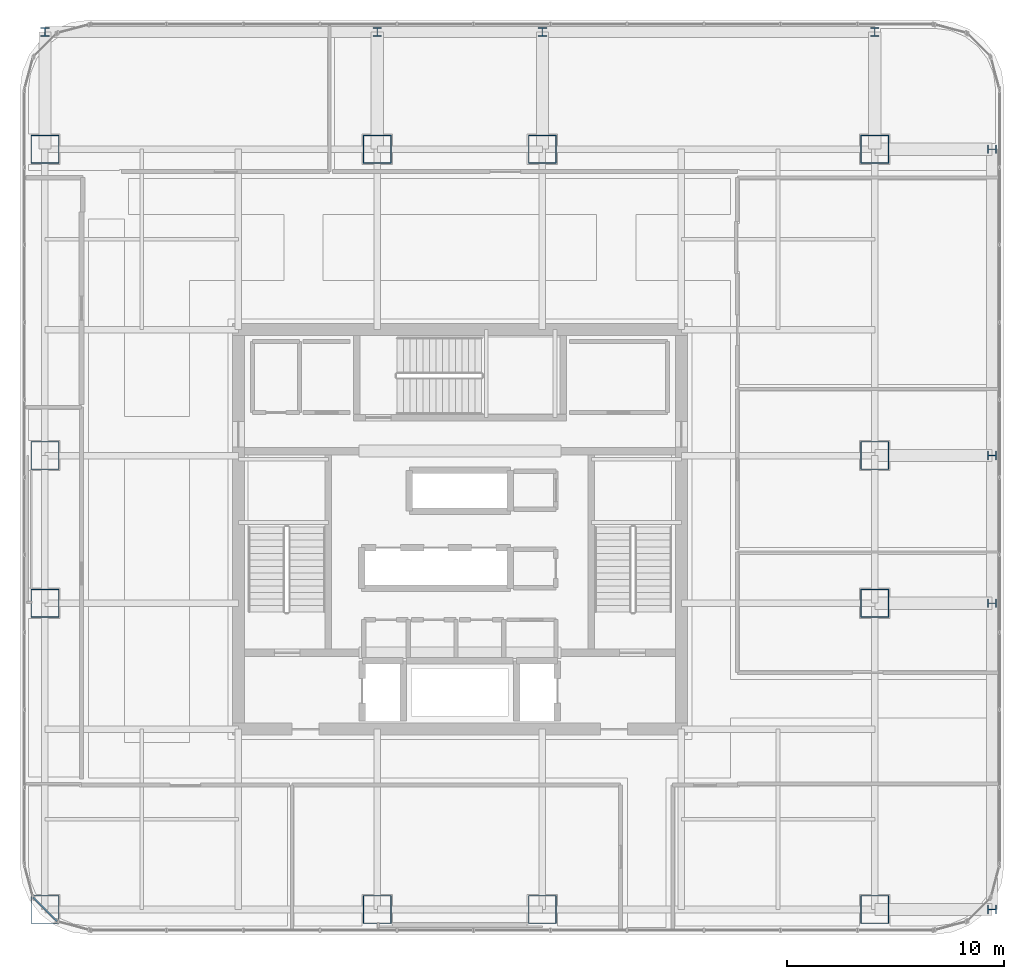
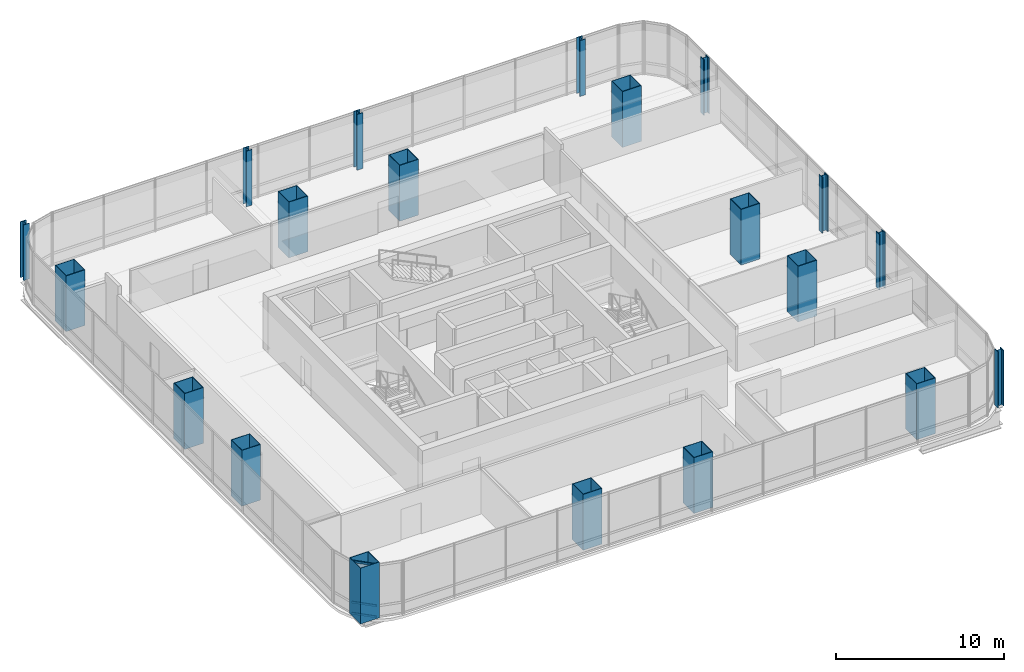
# One storey, part 1 of 42: 20 columns, 3 members, 1 element without a shape of its own.
"""IFC4 building model written with IfcOpenShell, lengths in metres."""

from ifc_helpers import new_model, si_unit, direction, frame, origin, origin_2d, place, context, subcontext, project, spatial, hollow_rectangle, i_section, extrude, material, material_profile, profile_set, type_object, element, aggregate, save


model = new_model("IFC4")

# Units and contexts
model_context = context("Model", 3, precision=1e-05, world=origin(), true_north=direction((0.0, 1.0)))
body_context = subcontext(model_context, "Body", "Model", "MODEL_VIEW")
ifc_project = project(units=[si_unit("LENGTHUNIT", "METRE"), si_unit("AREAUNIT", "SQUARE_METRE"), si_unit("VOLUMEUNIT", "CUBIC_METRE"), si_unit("PLANEANGLEUNIT", "RADIAN"), si_unit("MASSUNIT", "GRAM", prefix="KILO")], contexts=[model_context])

# Site, building, storey
site_placement = place(None, origin())
site = spatial("IfcSite", under=ifc_project, at=site_placement, CompositionType="ELEMENT")
building_placement = place(site_placement, origin())
building = spatial("IfcBuilding", under=site, at=building_placement, Name="Punatoya Terracotta Tower", CompositionType="ELEMENT")
storey_placement = place(building_placement, frame((0.0, 0.0, 263.550048828125)))
storey = spatial("IfcBuildingStorey", under=building, at=storey_placement, Name="L62", CompositionType="ELEMENT", Elevation=263.550048828125)

# Columns
ifc_material_1 = material(Name="Steel S460", Category="steel")
ifc_material_profile_1 = material_profile(ifc_material_1, i_section(OverallWidth=0.406005859375, OverallDepth=0.416015625, WebThickness=0.029052734375, FlangeThickness=0.048095703125, FilletRadius=0.01806640625, at=origin_2d()))
ifc_profile_set_1 = profile_set([ifc_material_profile_1], Name="Steel S460")
column_type_1 = type_object("IfcColumnType", Name="COL-EX-M3", PredefinedType="COLUMN", material=ifc_profile_set_1)
for number, where, z_axis, x_axis, name in (
    (1, (-19.10009765625, 22.89990234375, 0.0), (0.0, 0.0, 1.0), (1.0, 0.0, 0.0), "L62 Exoskeleton Perimeter Column N1"),
    (2, (-3.800048828125, 22.89990234375, 0.0), (0.0, 0.0, 1.0), (1.0, 0.0, 0.0), "L62 Exoskeleton Perimeter Column N2"),
    (3, (3.800048828125, 22.89990234375, 0.0), (0.0, 0.0, 1.0), (1.0, 0.0, 0.0), "L62 Exoskeleton Perimeter Column N3"),
    (4, (19.10009765625, 22.89990234375, 0.0), (0.0, 0.0, 1.0), (1.0, 0.0, 0.0), "L62 Exoskeleton Perimeter Column N4"),
    (5, (24.5, -17.5, 0.0), (0.0, 0.0, 1.0), (0.0, 1.0, 0.0), "L62 Exoskeleton Perimeter Column E1"),
    (6, (24.5, -3.39990234375, 0.0), (0.0, 0.0, 1.0), (0.0, 1.0, 0.0), "L62 Exoskeleton Perimeter Column E2"),
    (7, (24.5, 3.39990234375, 0.0), (0.0, 0.0, 1.0), (0.0, 1.0, 0.0), "L62 Exoskeleton Perimeter Column E3"),
    (8, (24.5, 17.5, 0.0), (0.0, 0.0, 1.0), (0.0, 1.0, 0.0), "L62 Exoskeleton Perimeter Column E4"),
):
    element("IfcColumn", number, at=place(storey_placement, frame(where, z_axis=z_axis, x_axis=x_axis)), inside=storey, type_object=column_type_1, Name=name, PredefinedType="COLUMN", context=body_context, shape_type="SweptSolid", body=[
        extrude(i_section(OverallWidth=0.406005859375, OverallDepth=0.416015625, WebThickness=0.029052734375, FlangeThickness=0.048095703125, FilletRadius=0.01806640625, at=origin_2d()), origin(), (0.0, 0.0, 1.0), 4.0478515625),
    ])
ifc_material_profile_2 = material_profile(ifc_material_1, hollow_rectangle(XDim=1.300048828125, YDim=1.300048828125, WallThickness=0.0380859375, at=origin_2d()))
ifc_profile_set_2 = profile_set([ifc_material_profile_2], Name="Steel S460")
column_type_2 = type_object("IfcColumnType", Name="COL-MC-Z3", PredefinedType="COLUMN", material=ifc_profile_set_2)
for number, where, z_axis, x_axis, name in (
    (9, (-19.10009765625, -17.5, 0.0), (0.0, 0.0, 1.0), (1.0, 0.0, 0.0), "L62 Composite Mega-Column MC-01 (3-B)"),
    (10, (-3.800048828125, -17.5, 0.0), (0.0, 0.0, 1.0), (1.0, 0.0, 0.0), "L62 Composite Mega-Column MC-02 (5-B)"),
    (11, (3.800048828125, -17.5, 0.0), (0.0, 0.0, 1.0), (1.0, 0.0, 0.0), "L62 Composite Mega-Column MC-03 (7-B)"),
    (12, (19.10009765625, -17.5, 0.0), (0.0, 0.0, 1.0), (1.0, 0.0, 0.0), "L62 Composite Mega-Column MC-04 (9-B)"),
    (13, (19.10009765625, -3.39990234375, 0.0), (0.0, 0.0, 1.0), (1.0, 0.0, 0.0), "L62 Composite Mega-Column MC-05 (9-D)"),
    (14, (19.10009765625, 3.39990234375, 0.0), (0.0, 0.0, 1.0), (1.0, 0.0, 0.0), "L62 Composite Mega-Column MC-06 (9-E)"),
    (15, (19.10009765625, 17.5, 0.0), (0.0, 0.0, 1.0), (1.0, 0.0, 0.0), "L62 Composite Mega-Column MC-07 (9-G)"),
    (16, (3.800048828125, 17.5, 0.0), (0.0, 0.0, 1.0), (1.0, 0.0, 0.0), "L62 Composite Mega-Column MC-08 (7-G)"),
    (17, (-3.800048828125, 17.5, 0.0), (0.0, 0.0, 1.0), (1.0, 0.0, 0.0), "L62 Composite Mega-Column MC-09 (5-G)"),
    (18, (-19.10009765625, 17.5, 0.0), (0.0, 0.0, 1.0), (1.0, 0.0, 0.0), "L62 Composite Mega-Column MC-10 (3-G)"),
    (19, (-19.10009765625, 3.39990234375, 0.0), (0.0, 0.0, 1.0), (1.0, 0.0, 0.0), "L62 Composite Mega-Column MC-11 (3-E)"),
    (20, (-19.10009765625, -3.39990234375, 0.0), (0.0, 0.0, 1.0), (1.0, 0.0, 0.0), "L62 Composite Mega-Column MC-12 (3-D)"),
):
    element("IfcColumn", number, at=place(storey_placement, frame(where, z_axis=z_axis, x_axis=x_axis)), inside=storey, type_object=column_type_2, Name=name, PredefinedType="COLUMN", context=body_context, shape_type="SweptSolid", body=[
        extrude(hollow_rectangle(XDim=1.300048828125, YDim=1.300048828125, WallThickness=0.0380859375, at=origin_2d()), origin(), (0.0, 0.0, 1.0), 4.050048828125),
    ])

# Curtain wall, members
ifc_material_2 = material(Name="Aluminium 6063-T6 + Double Low-E Glass", Category="aluminium")
curtain_wall_type = type_object("IfcCurtainWallType", Name="CW-M3", PredefinedType="NOTDEFINED", material=ifc_material_2)
curtain_wall_placement = place(storey_placement, origin())
curtain_wall = element("IfcCurtainWall", 21, at=curtain_wall_placement, inside=storey, type_object=curtain_wall_type, Name="L62 Curtain Wall CW-L62-CRN15", PredefinedType="NOTDEFINED")
ifc_material_3 = material(Name="Aluminium 6063-T6", Category="aluminium")
ifc_material_profile_3 = material_profile(ifc_material_3, hollow_rectangle(XDim=0.068115234375, YDim=0.14990234375, WallThickness=0.00390625, at=origin_2d()))
ifc_profile_set_3 = profile_set([ifc_material_profile_3], Name="Aluminium 6063-T6")
member_type = type_object("IfcMemberType", Name="CW-TRN-TYP", PredefinedType="USERDEFINED", material=ifc_profile_set_3)
member_1_placement = place(storey_placement, frame((-19.646484375, -16.94921875, 0.0400390625), z_axis=(0.707106781187, -0.707106781187, 0.0), x_axis=(0.707106781187, 0.707106781187, 0.0)))
member_1 = element("IfcMember", 22, at=member_1_placement, type_object=member_type, Name="CW-L62-CRN15 Transom 1", ObjectType="TRANSOM", PredefinedType="USERDEFINED", context=body_context, shape_type="SweptSolid", body=[
    extrude(hollow_rectangle(XDim=0.068115234375, YDim=0.14990234375, WallThickness=0.00390625, at=origin_2d()), origin(), (0.0, 0.0, 1.0), 1.552001953125),
])
member_2_placement = place(storey_placement, frame((-19.646484375, -16.94921875, 0.849853515625), z_axis=(0.707106781187, -0.707106781187, 0.0), x_axis=(0.707106781187, 0.707106781187, 0.0)))
member_2 = element("IfcMember", 23, at=member_2_placement, type_object=member_type, Name="CW-L62-CRN15 Transom 2", ObjectType="TRANSOM", PredefinedType="USERDEFINED", context=body_context, shape_type="SweptSolid", body=[
    extrude(hollow_rectangle(XDim=0.068115234375, YDim=0.14990234375, WallThickness=0.00390625, at=origin_2d()), origin(), (0.0, 0.0, 1.0), 1.552001953125),
])
member_3_placement = place(storey_placement, frame((-19.646484375, -16.94921875, 3.81005859375), z_axis=(0.707106781187, -0.707106781187, 0.0), x_axis=(0.707106781187, 0.707106781187, 0.0)))
member_3 = element("IfcMember", 24, at=member_3_placement, type_object=member_type, Name="CW-L62-CRN15 Transom 3", ObjectType="TRANSOM", PredefinedType="USERDEFINED", context=body_context, shape_type="SweptSolid", body=[
    extrude(hollow_rectangle(XDim=0.068115234375, YDim=0.14990234375, WallThickness=0.00390625, at=origin_2d()), origin(), (0.0, 0.0, 1.0), 1.552001953125),
])
aggregate(curtain_wall, [member_1, member_2, member_3])

save(model, "model.ifc")
